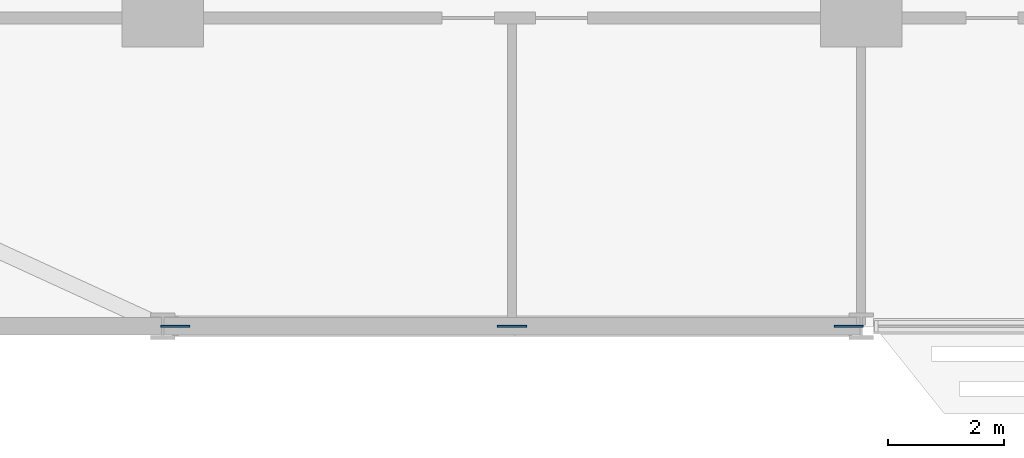
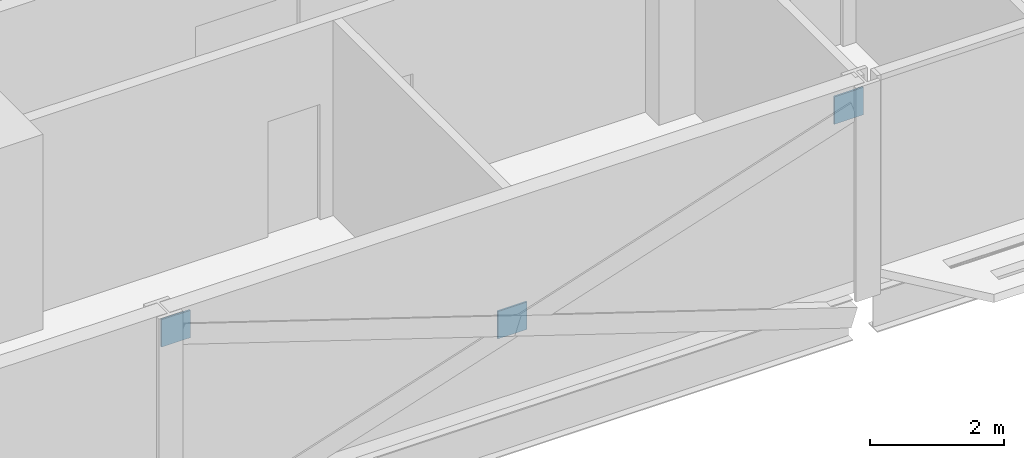
# One storey, part 19 of 29: 3 discrete accessories.
"""IFC4 building model written with IfcOpenShell, lengths in metres."""

from ifc_helpers import new_model, si_unit, direction, frame, origin, origin_2d, place, context, subcontext, project, spatial, rectangle, extrude, material, layer, layer_set, type_object, element, save


model = new_model("IFC4")

# Units and contexts
model_context = context("Model", 3, precision=1e-05, world=origin(), true_north=direction((0.0, 1.0)))
body_context = subcontext(model_context, "Body", "Model", "MODEL_VIEW")
ifc_project = project(units=[si_unit("LENGTHUNIT", "METRE"), si_unit("AREAUNIT", "SQUARE_METRE"), si_unit("VOLUMEUNIT", "CUBIC_METRE"), si_unit("PLANEANGLEUNIT", "RADIAN"), si_unit("MASSUNIT", "GRAM", prefix="KILO")], contexts=[model_context])

# Site, building, storey
site_placement = place(None, origin())
site = spatial("IfcSite", under=ifc_project, at=site_placement, CompositionType="ELEMENT")
building_placement = place(site_placement, origin())
building = spatial("IfcBuilding", under=site, at=building_placement, Name="Mahtab Terrace Research Tower", CompositionType="ELEMENT")
storey_placement = place(building_placement, frame((0.0, 0.0, 113.5)))
storey = spatial("IfcBuildingStorey", under=building, at=storey_placement, Name="L26", CompositionType="ELEMENT", Elevation=113.5)

# Discrete accessories
ifc_material = material(Name="Steel ASTM A992 Gr 50", Category="steel")
ifc_layer = layer(ifc_material, 0.030029296875)
ifc_layer_set = layer_set([ifc_layer], Name="Gusset plate 500x500x30")
discrete_accessory_type = type_object("IfcDiscreteAccessoryType", Name="Gusset plate 500x500x30", PredefinedType="USERDEFINED", material=ifc_layer_set)
for number, where, z_axis, x_axis, name in (
    (1, (-29.790283203125, -17.0, 2.853515625), (0.0, 0.0, 1.0), (1.0, 0.0, 0.0), "Gusset plate"),
    (2, (-24.0, -17.0, 0.9765625), (0.0, 0.0, 1.0), (1.0, 0.0, 0.0), "Gusset plate"),
    (3, (-18.209716796875, -17.0, 2.853515625), (0.0, 0.0, 1.0), (1.0, 0.0, 0.0), "Gusset plate"),
):
    element("IfcDiscreteAccessory", number, at=place(storey_placement, frame(where, z_axis=z_axis, x_axis=x_axis)), inside=storey, type_object=discrete_accessory_type, Name=name, ObjectType="GUSSET PLATE", PredefinedType="USERDEFINED", context=body_context, shape_type="SweptSolid", body=[
        extrude(rectangle(XDim=0.5, YDim=0.030029296875, at=origin_2d()), origin(), (0.0, 0.0, 1.0), 0.5),
    ])

save(model, "model.ifc")
